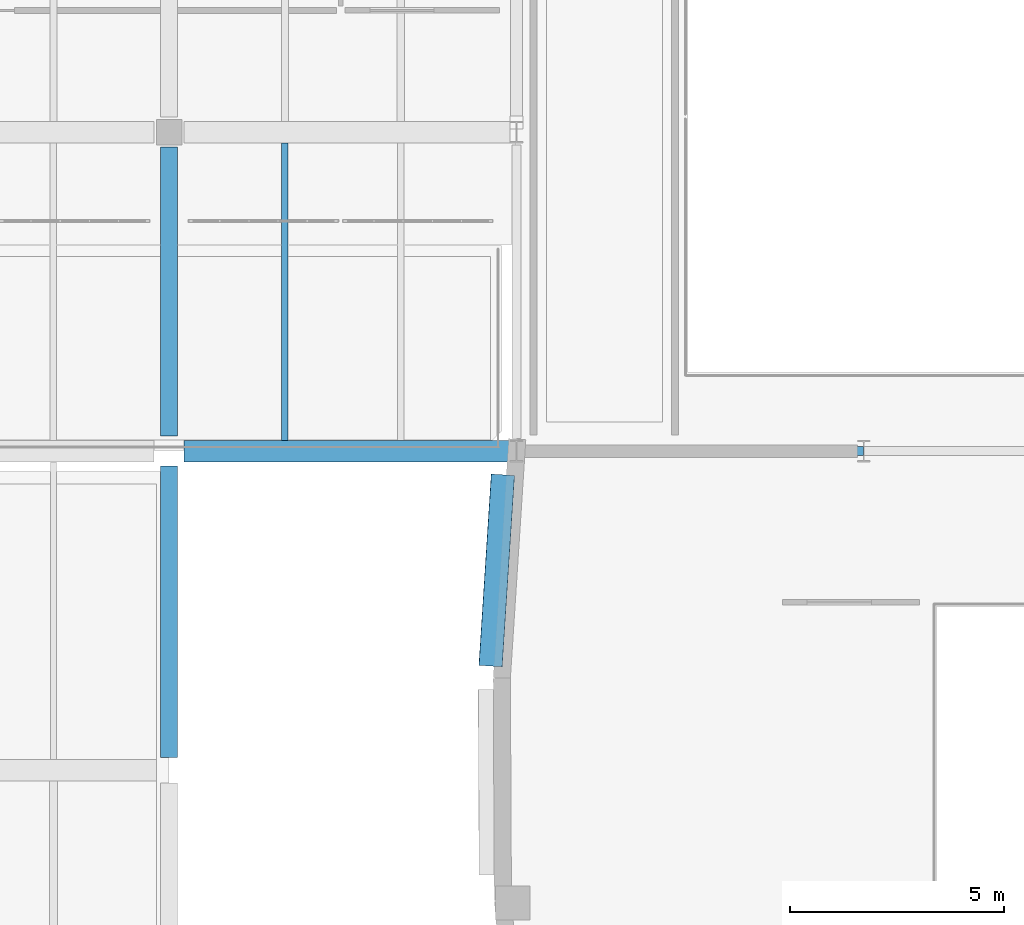
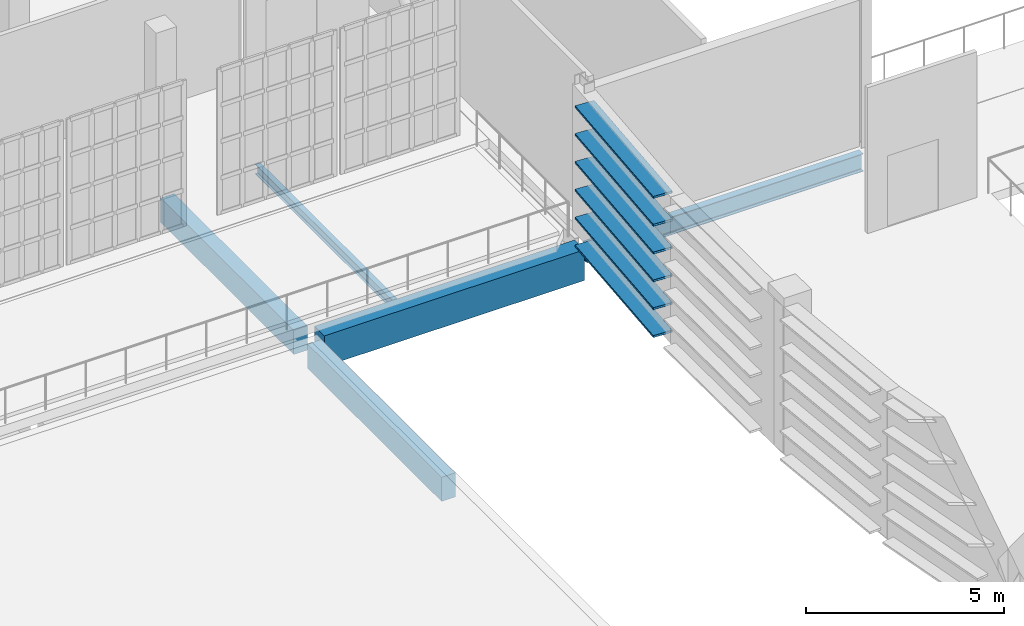
# One storey, part 15 of 104: 6 members, 5 beams.
"""IFC4 building model written with IfcOpenShell, lengths in metres."""

from ifc_helpers import new_model, si_unit, direction, frame, origin, origin_2d, place, context, subcontext, project, spatial, rectangle, hollow_rectangle, i_section, extrude, material, material_profile, profile_set, type_object, element, save


model = new_model("IFC4")

# Units and contexts
model_context = context("Model", 3, precision=1e-05, world=origin(), true_north=direction((0.0, 1.0)))
body_context = subcontext(model_context, "Body", "Model", "MODEL_VIEW")
ifc_project = project(units=[si_unit("LENGTHUNIT", "METRE"), si_unit("AREAUNIT", "SQUARE_METRE"), si_unit("VOLUMEUNIT", "CUBIC_METRE"), si_unit("PLANEANGLEUNIT", "RADIAN"), si_unit("MASSUNIT", "GRAM", prefix="KILO")], contexts=[model_context])

# Site, building, storey
site_placement = place(None, origin())
site = spatial("IfcSite", under=ifc_project, at=site_placement, CompositionType="ELEMENT")
building_placement = place(site_placement, origin())
building = spatial("IfcBuilding", under=site, at=building_placement, Name="Kaelora Sail Theatre", CompositionType="ELEMENT")
storey_placement = place(building_placement, frame((0.0, 0.0, 5.39990234375)))
storey = spatial("IfcBuildingStorey", under=building, at=storey_placement, Name="L01", CompositionType="ELEMENT", Elevation=5.39990234375)

# Members
ifc_material_1 = material(Name="Anodised aluminium 6063-T6", Category="aluminium")
ifc_material_profile_1 = material_profile(ifc_material_1, hollow_rectangle(XDim=0.550048828125, YDim=0.06494140625, WallThickness=0.00390625, InnerFilletRadius=0.00390625, OuterFilletRadius=0.008056640625, at=origin_2d()), Name="LOUVRE 550x65x4")
ifc_profile_set_1 = profile_set([ifc_material_profile_1], Name="Anodised aluminium 6063-T6")
member_type = type_object("IfcMemberType", Name="ARC-MEM-LVR-300", PredefinedType="USERDEFINED", material=ifc_profile_set_1)
for number, where, z_axis, x_axis, name in (
    (1, (25.195556640625, 56.0087890625, 0.150146484375), (0.064492796424, 0.997918172602, 0.0), (-0.997918172602, 0.064492796424, 0.0), "Main Theatre Sail Drum horizontal solar louvre C22-06"),
    (2, (25.195556640625, 56.0087890625, 1.010009765625), (0.064492796424, 0.997918172602, 0.0), (-0.997918172602, 0.064492796424, 0.0), "Main Theatre Sail Drum horizontal solar louvre C22-07"),
    (3, (25.195556640625, 56.0087890625, 1.8701171875), (0.064492796424, 0.997918172602, 0.0), (-0.997918172602, 0.064492796424, 0.0), "Main Theatre Sail Drum horizontal solar louvre C22-08"),
    (4, (25.195556640625, 56.0087890625, 2.72998046875), (0.064492796424, 0.997918172602, 0.0), (-0.997918172602, 0.064492796424, 0.0), "Main Theatre Sail Drum horizontal solar louvre C22-09"),
    (5, (25.195556640625, 56.0087890625, 3.590087890625), (0.064492796424, 0.997918172602, 0.0), (-0.997918172602, 0.064492796424, 0.0), "Main Theatre Sail Drum horizontal solar louvre C22-10"),
    (6, (25.195556640625, 56.0087890625, 4.4501953125), (0.064492796424, 0.997918172602, 0.0), (-0.997918172602, 0.064492796424, 0.0), "Main Theatre Sail Drum horizontal solar louvre C22-11"),
):
    element("IfcMember", number, at=place(storey_placement, frame(where, z_axis=z_axis, x_axis=x_axis)), inside=storey, type_object=member_type, Name=name, ObjectType="LOUVRE", PredefinedType="USERDEFINED", context=body_context, shape_type="SweptSolid", body=[
        extrude(hollow_rectangle(XDim=0.550048828125, YDim=0.06494140625, WallThickness=0.00390625, InnerFilletRadius=0.00390625, OuterFilletRadius=0.008056640625, at=origin_2d()), origin(), (0.0, 0.0, 1.0), 4.470703125),
    ])

# Beams
ifc_material_2 = material(Name="Steel S355", Category="steel")
ifc_material_profile_2 = material_profile(ifc_material_2, i_section(OverallWidth=0.2099609375, OverallDepth=0.550048828125, WebThickness=0.010986328125, FlangeThickness=0.01708984375, FilletRadius=0.02392578125, at=origin_2d()), Name="IPE 550")
ifc_profile_set_2 = profile_set([ifc_material_profile_2], Name="Steel S355")
beam_type_1 = type_object("IfcBeamType", Name="STR-BM-BM-IPE550", PredefinedType="USERDEFINED", material=ifc_profile_set_2)
beam_1_placement = place(storey_placement, frame((25.80908203125, 61.02001953125, -0.56982421875), z_axis=(1.0, 0.0, 0.0), x_axis=(0.0, 1.0, 0.0)))
element("IfcBeam", 7, at=beam_1_placement, inside=storey, type_object=beam_type_1, Name="Primary beam I 4-5 (L01)", ObjectType="GIRDER", PredefinedType="USERDEFINED", context=body_context, shape_type="SweptSolid", body=[
    extrude(i_section(OverallWidth=0.2099609375, OverallDepth=0.550048828125, WebThickness=0.010986328125, FlangeThickness=0.01708984375, FilletRadius=0.02392578125, at=origin_2d()), origin(), (0.0, 0.0, 1.0), 8.08203125),
])
ifc_material_3 = material(Name="Concrete C40/50", Category="concrete")
ifc_material_profile_3 = material_profile(ifc_material_3, rectangle(XDim=0.39990234375, YDim=0.75, at=origin_2d()), Name="RC-BM 400x750")
ifc_profile_set_3 = profile_set([ifc_material_profile_3], Name="Concrete C40/50")
beam_type_2 = type_object("IfcBeamType", Name="STR-BM-BM-RC4075", PredefinedType="BEAM", material=ifc_profile_set_3)
beam_2_placement = place(storey_placement, frame((17.699951171875, 53.8798828125, -0.669921875), z_axis=(0.0, 1.0, 0.0), x_axis=(-1.0, 0.0, 0.0)))
element("IfcBeam", 8, at=beam_2_placement, inside=storey, type_object=beam_type_2, Name="Primary beam 3 H-I (L01)", PredefinedType="BEAM", context=body_context, shape_type="SweptSolid", body=[
    extrude(rectangle(XDim=0.39990234375, YDim=0.75, at=origin_2d()), origin(), (0.0, 0.0, 1.0), 6.7900390625),
])
beam_3_placement = place(storey_placement, frame((17.699951171875, 61.3701171875, -0.669921875), z_axis=(0.0, 1.0, 0.0), x_axis=(-1.0, 0.0, 0.0)))
element("IfcBeam", 9, at=beam_3_placement, inside=storey, type_object=beam_type_2, Name="Primary beam 3 I-J (L01)", PredefinedType="BEAM", context=body_context, shape_type="SweptSolid", body=[
    extrude(rectangle(XDim=0.39990234375, YDim=0.75, at=origin_2d()), origin(), (0.0, 0.0, 1.0), 6.739990234375),
])
ifc_material_4 = material(Name="Concrete C45/55", Category="concrete")
ifc_material_profile_4 = material_profile(ifc_material_4, rectangle(XDim=0.5, YDim=0.949951171875, at=origin_2d()), Name="RC-GRD 500x950")
ifc_profile_set_4 = profile_set([ifc_material_profile_4], Name="Concrete C45/55")
beam_type_3 = type_object("IfcBeamType", Name="STR-BM-GR-RC5095", PredefinedType="T_BEAM", material=ifc_profile_set_4)
beam_4_placement = place(storey_placement, frame((18.050048828125, 61.02001953125, -0.77001953125), z_axis=(1.0, 0.0, 0.0), x_axis=(0.0, 1.0, 0.0)))
element("IfcBeam", 10, at=beam_4_placement, inside=storey, type_object=beam_type_3, Name="Primary beam I 3-4 (L01)", PredefinedType="T_BEAM", context=body_context, shape_type="SweptSolid", body=[
    extrude(rectangle(XDim=0.5, YDim=0.949951171875, at=origin_2d()), origin(), (0.0, 0.0, 1.0), 7.599853515625),
])
ifc_material_5 = material(Name="Steel S355", Category="steel")
ifc_material_profile_5 = material_profile(ifc_material_5, i_section(OverallWidth=0.14990234375, OverallDepth=0.300048828125, WebThickness=0.007080078125, FlangeThickness=0.0107421875, FilletRadius=0.014892578125, at=origin_2d()), Name="IPE 300")
ifc_profile_set_5 = profile_set([ifc_material_profile_5], Name="Steel S355")
beam_type_4 = type_object("IfcBeamType", Name="STR-BM-JS-IPE300", PredefinedType="JOIST", material=ifc_profile_set_5)
beam_5_placement = place(storey_placement, frame((20.39990234375, 61.27001953125, -0.44482421875), z_axis=(0.0, 1.0, 0.0), x_axis=(-1.0, 0.0, 0.0)))
element("IfcBeam", 11, at=beam_5_placement, inside=storey, type_object=beam_type_4, Name="Secondary floor joist 3/I-1 (L01)", PredefinedType="JOIST", context=body_context, shape_type="SweptSolid", body=[
    extrude(i_section(OverallWidth=0.14990234375, OverallDepth=0.300048828125, WebThickness=0.007080078125, FlangeThickness=0.0107421875, FilletRadius=0.014892578125, at=origin_2d()), origin(), (0.0, 0.0, 1.0), 6.93994140625),
])

save(model, "model.ifc")
